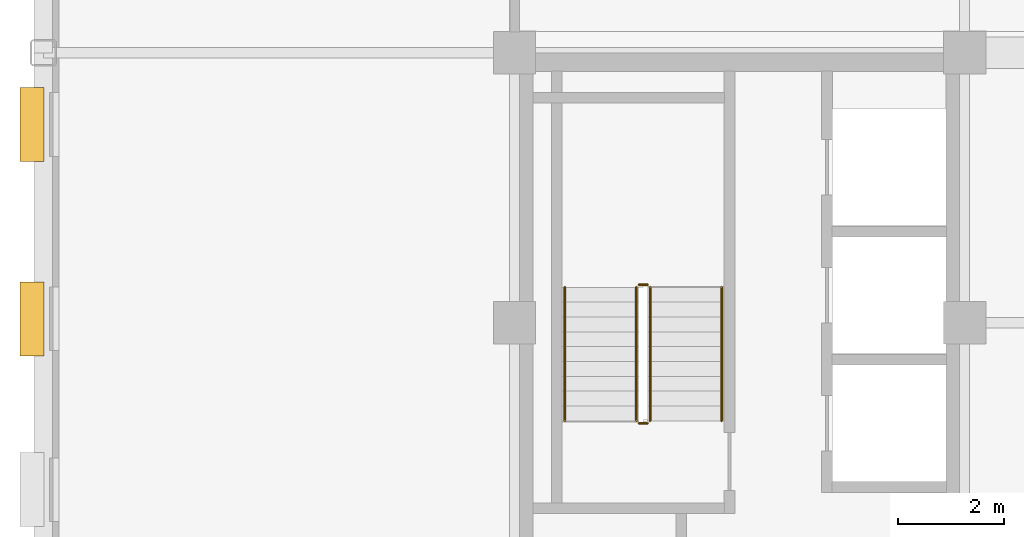
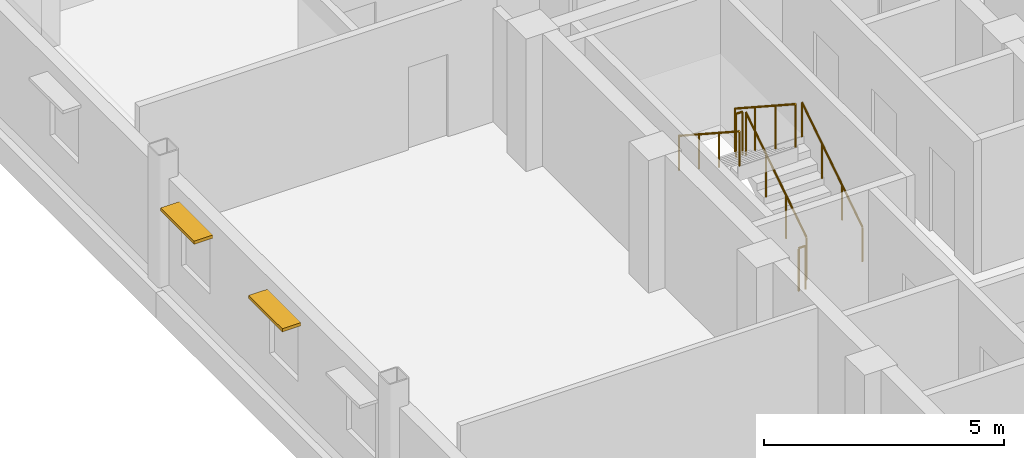
# One storey, part 11 of 13: 6 railings, 2 shading devices.
"""IFC4 building model written with IfcOpenShell, lengths in metres."""

from ifc_helpers import new_model, si_unit, direction, frame, origin, origin_2d, place, context, subcontext, project, spatial, rectangle, circle, extrude, source, transform, mapped, material, type_object, type_shapes, element, save


model = new_model("IFC4")

# Units and contexts
model_context = context("Model", 3, precision=1e-05, world=origin(), true_north=direction((0.0, 1.0)))
body_context = subcontext(model_context, "Body", "Model", "MODEL_VIEW")
ifc_project = project(units=[si_unit("LENGTHUNIT", "METRE"), si_unit("AREAUNIT", "SQUARE_METRE"), si_unit("VOLUMEUNIT", "CUBIC_METRE"), si_unit("PLANEANGLEUNIT", "RADIAN"), si_unit("MASSUNIT", "GRAM", prefix="KILO")], contexts=[model_context])

# Site, building, storey
site_placement = place(None, origin())
site = spatial("IfcSite", under=ifc_project, at=site_placement, CompositionType="ELEMENT")
building_placement = place(site_placement, origin())
building = spatial("IfcBuilding", under=site, at=building_placement, Name="Nuvemarco Arch Tower", CompositionType="ELEMENT")
storey_placement = place(building_placement, frame((0.0, 0.0, 231.050048828125)))
storey = spatial("IfcBuildingStorey", under=building, at=storey_placement, Name="L61", CompositionType="ELEMENT", Elevation=231.050048828125)

# Railings
ifc_material_1 = material(Name="Brushed stainless steel handrail", Category="steel")
railing_type_1 = type_object("IfcRailingType", Name="RL-HANDRAIL-900", PredefinedType="HANDRAIL", material=ifc_material_1)
railing_1_placement = place(storey_placement, frame((-13.590087890625, 2.64990234375, 0.182373046875)))
element("IfcRailing", 1, at=railing_1_placement, inside=storey, type_object=railing_type_1, Name="L61 ST-1 stair handrail 1", PredefinedType="HANDRAIL", context=body_context, shape_type="SweptSolid", body=[
    extrude(circle(Radius=0.02392578125, at=origin_2d()), frame((0.0, 0.0, 0.8759765625), z_axis=(0.0, 0.837749427056, 0.546054848405), x_axis=(-1.0, 0.0, 0.0)), (0.0, 0.0, 1.0), 3.008056640625),
    extrude(circle(Radius=0.02099609375, at=origin_2d()), origin(), (0.0, 0.0, 1.0), 0.851806640625),
    extrude(circle(Radius=0.02099609375, at=origin_2d()), frame((0.0, 0.840087890625, 0.547607421875)), (0.0, 0.0, 1.0), 0.851806640625),
    extrude(circle(Radius=0.02099609375, at=origin_2d()), frame((0.0, 1.679931640625, 1.094970703125)), (0.0, 0.0, 1.0), 0.851806640625),
    extrude(circle(Radius=0.02099609375, at=origin_2d()), frame((0.0, 2.52001953125, 1.642578125)), (0.0, 0.0, 1.0), 0.851806640625),
])
railing_2_placement = place(storey_placement, frame((-16.550048828125, 5.169921875, 2.007568359375)))
element("IfcRailing", 2, at=railing_2_placement, inside=storey, type_object=railing_type_1, Name="L61 ST-1 stair handrail 2", PredefinedType="HANDRAIL", context=body_context, shape_type="SweptSolid", body=[
    extrude(circle(Radius=0.02392578125, at=origin_2d()), frame((0.0, 0.0, 0.8759765625), z_axis=(0.0, -0.837786554691, 0.545997883492), x_axis=(1.0, 0.0, 0.0)), (0.0, 0.0, 1.0), 3.008056640625),
    extrude(circle(Radius=0.02099609375, at=origin_2d()), origin(), (0.0, 0.0, 1.0), 0.851806640625),
    extrude(circle(Radius=0.02099609375, at=origin_2d()), frame((0.0, -0.840087890625, 0.54736328125)), (0.0, 0.0, 1.0), 0.851806640625),
    extrude(circle(Radius=0.02099609375, at=origin_2d()), frame((0.0, -1.679931640625, 1.094970703125)), (0.0, 0.0, 1.0), 0.851806640625),
    extrude(circle(Radius=0.02099609375, at=origin_2d()), frame((0.0, -2.52001953125, 1.642333984375)), (0.0, 0.0, 1.0), 0.851806640625),
])
ifc_material_2 = material(Name="Painted balustrade steel S355", Category="steel")
railing_type_2 = type_object("IfcRailingType", Name="RL-STAIR-GUARD", PredefinedType="GUARDRAIL", material=ifc_material_2)
railing_3_placement = place(storey_placement, frame((-14.93994140625, 2.64990234375, 0.182373046875)))
element("IfcRailing", 3, at=railing_3_placement, inside=storey, type_object=railing_type_2, Name="L61 ST-1 stair guard 1", PredefinedType="GUARDRAIL", context=body_context, shape_type="SweptSolid", body=[
    extrude(circle(Radius=0.02392578125, at=origin_2d()), frame((0.0, 0.0, 1.09619140625), z_axis=(0.0, 0.837749427056, 0.546054848405), x_axis=(-1.0, 0.0, 0.0)), (0.0, 0.0, 1.0), 3.008056640625),
    extrude(circle(Radius=0.02099609375, at=origin_2d()), origin(), (0.0, 0.0, 1.0), 1.072021484375),
    extrude(circle(Radius=0.02099609375, at=origin_2d()), frame((0.0, 0.840087890625, 0.547607421875)), (0.0, 0.0, 1.0), 1.072021484375),
    extrude(circle(Radius=0.02099609375, at=origin_2d()), frame((0.0, 1.679931640625, 1.094970703125)), (0.0, 0.0, 1.0), 1.072021484375),
    extrude(circle(Radius=0.02099609375, at=origin_2d()), frame((0.0, 2.52001953125, 1.642578125)), (0.0, 0.0, 1.0), 1.072021484375),
])
railing_4_placement = place(storey_placement, frame((-14.989990234375, 5.219970703125, 1.824951171875)))
element("IfcRailing", 4, at=railing_4_placement, inside=storey, type_object=railing_type_2, Name="L61 ST-1 stair guard 2", PredefinedType="GUARDRAIL", context=body_context, shape_type="SweptSolid", body=[
    extrude(circle(Radius=0.02392578125, at=origin_2d()), frame((0.0, 0.0, 1.09619140625), z_axis=(-1.0, 0.0, 0.0), x_axis=(0.0, -1.0, 0.0)), (0.0, 0.0, 1.0), 0.159912109375),
    extrude(circle(Radius=0.02099609375, at=origin_2d()), origin(), (0.0, 0.0, 1.0), 1.072021484375),
    extrude(circle(Radius=0.02099609375, at=origin_2d()), frame((-0.159912109375, 0.0, 0.0)), (0.0, 0.0, 1.0), 1.072021484375),
])
railing_5_placement = place(storey_placement, frame((-15.199951171875, 5.169921875, 2.007568359375)))
element("IfcRailing", 5, at=railing_5_placement, inside=storey, type_object=railing_type_2, Name="L61 ST-1 stair guard 3", PredefinedType="GUARDRAIL", context=body_context, shape_type="SweptSolid", body=[
    extrude(circle(Radius=0.02392578125, at=origin_2d()), frame((0.0, 0.0, 1.09619140625), z_axis=(0.0, -0.837786554691, 0.545997883492), x_axis=(1.0, 0.0, 0.0)), (0.0, 0.0, 1.0), 3.008056640625),
    extrude(circle(Radius=0.02099609375, at=origin_2d()), origin(), (0.0, 0.0, 1.0), 1.072021484375),
    extrude(circle(Radius=0.02099609375, at=origin_2d()), frame((0.0, -0.840087890625, 0.54736328125)), (0.0, 0.0, 1.0), 1.072021484375),
    extrude(circle(Radius=0.02099609375, at=origin_2d()), frame((0.0, -1.679931640625, 1.094970703125)), (0.0, 0.0, 1.0), 1.072021484375),
    extrude(circle(Radius=0.02099609375, at=origin_2d()), frame((0.0, -2.52001953125, 1.642333984375)), (0.0, 0.0, 1.0), 1.072021484375),
])
railing_6_placement = place(storey_placement, frame((-14.989990234375, 2.60009765625, 0.0)))
element("IfcRailing", 6, at=railing_6_placement, inside=storey, type_object=railing_type_2, Name="L61 ST-1 stair guard 4", PredefinedType="GUARDRAIL", context=body_context, shape_type="SweptSolid", body=[
    extrude(circle(Radius=0.02392578125, at=origin_2d()), frame((0.0, 0.0, 1.09619140625), z_axis=(-1.0, 0.0, 0.0), x_axis=(0.0, -1.0, 0.0)), (0.0, 0.0, 1.0), 0.159912109375),
    extrude(circle(Radius=0.02099609375, at=origin_2d()), origin(), (0.0, 0.0, 1.0), 1.072021484375),
    extrude(circle(Radius=0.02099609375, at=origin_2d()), frame((-0.159912109375, 0.0, 0.0)), (0.0, 0.0, 1.0), 1.072021484375),
])

# Shading devices
ifc_material_3 = material(Name="Anodised aluminium 6063-T6", Category="aluminium")
shading_device_type = type_object("IfcShadingDeviceType", Name="SHD-BRISE-NARROW", PredefinedType="USERDEFINED", material=ifc_material_3)
shared_shape = source(origin(), body_context, "Body", "SweptSolid", [
    extrude(rectangle(XDim=1.39990234375, YDim=0.449951171875, at=origin_2d()), origin(), (0.0, 0.0, 1.0), 0.080078125),
])
type_shapes(shading_device_type, [shared_shape])
for number, where, z_axis, x_axis, name in (
    (7, (-26.614990234375, 4.572509765625, 2.284912109375), (0.0, 0.0, 1.0), (0.0, 1.0, 0.0), "L61 horizontal brise-soleil sunshade"),
    (8, (-26.614990234375, 8.2451171875, 2.284912109375), (0.0, 0.0, 1.0), (0.0, 1.0, 0.0), "L61 horizontal brise-soleil sunshade"),
):
    element("IfcShadingDevice", number, at=place(storey_placement, frame(where, z_axis=z_axis, x_axis=x_axis)), inside=storey, type_object=shading_device_type, Name=name, ObjectType="SUNSHADE", PredefinedType="USERDEFINED", context=body_context, shape_type="MappedRepresentation", body=[
        mapped(shared_shape, transform((0.0, 0.0, 0.0), scale=1.0)),
    ])

save(model, "model.ifc")
